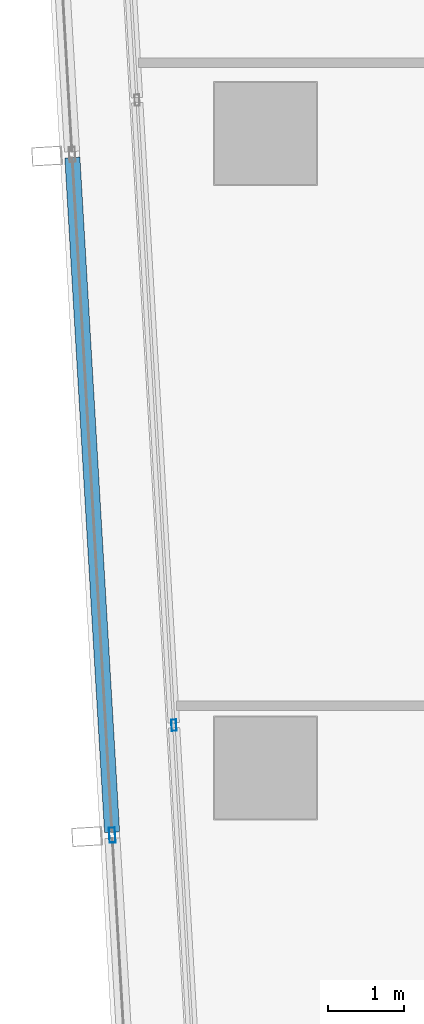
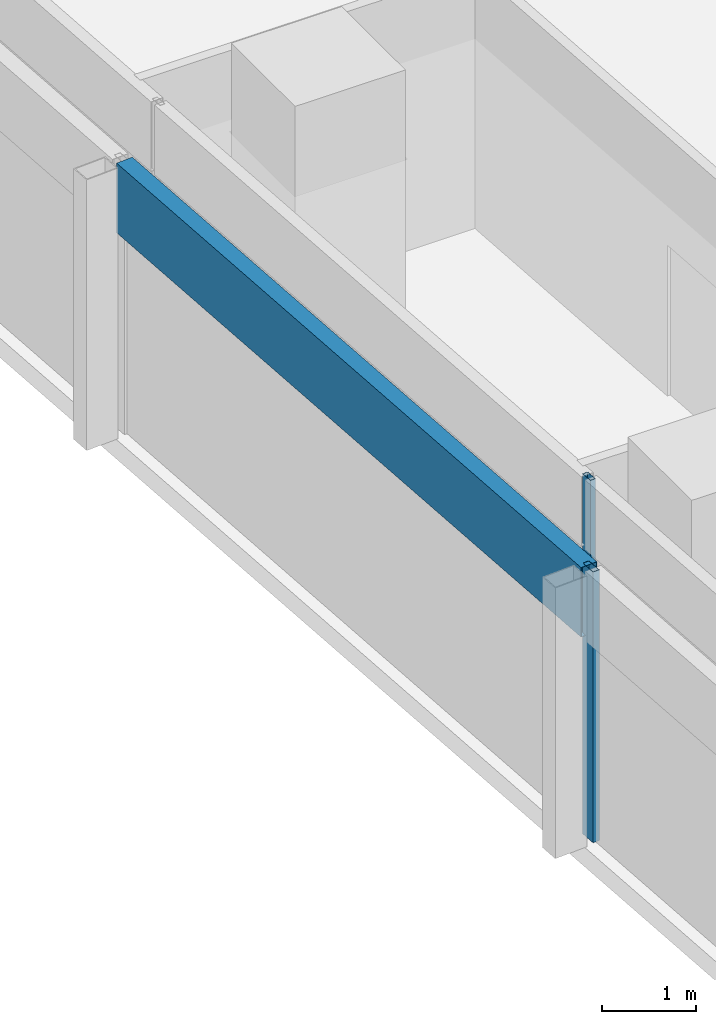
# One storey, part 5 of 38: 3 members, 2 elements without a shape of their own.
"""IFC4 building model written with IfcOpenShell, lengths in metres."""

from ifc_helpers import new_model, si_unit, direction, frame, origin, origin_2d, place, context, subcontext, project, spatial, hollow_rectangle, extrude, material, material_profile, profile_set, type_object, element, aggregate, save


model = new_model("IFC4")

# Units and contexts
model_context = context("Model", 3, precision=1e-05, world=origin(), true_north=direction((0.0, 1.0)))
body_context = subcontext(model_context, "Body", "Model", "MODEL_VIEW")
ifc_project = project(units=[si_unit("LENGTHUNIT", "METRE"), si_unit("AREAUNIT", "SQUARE_METRE"), si_unit("VOLUMEUNIT", "CUBIC_METRE"), si_unit("PLANEANGLEUNIT", "RADIAN"), si_unit("MASSUNIT", "GRAM", prefix="KILO")], contexts=[model_context])

# Site, building, storey
site_placement = place(None, origin())
site = spatial("IfcSite", under=ifc_project, at=site_placement, CompositionType="ELEMENT")
building_placement = place(site_placement, origin())
building = spatial("IfcBuilding", under=site, at=building_placement, Name="Rekha Terrace Tower", CompositionType="ELEMENT")
storey_placement = place(building_placement, frame((0.0, 0.0, 198.949951171875)))
storey = spatial("IfcBuildingStorey", under=building, at=storey_placement, Name="L50", CompositionType="ELEMENT", Elevation=198.949951171875)

# Curtain wall, member
ifc_material_1 = material(Name="Aluminium framing", Category="aluminium")
curtain_wall_type_1 = type_object("IfcCurtainWallType", Name="CW1 double skin inner glazing", PredefinedType="USERDEFINED", material=ifc_material_1)
curtain_wall_1_placement = place(storey_placement, origin())
curtain_wall_1 = element("IfcCurtainWall", 1, at=curtain_wall_1_placement, inside=storey, type_object=curtain_wall_type_1, Name="CW1 double skin inner glazing", ObjectType="DOUBLE SKIN INNER GLAZING", PredefinedType="USERDEFINED")
ifc_material_2 = material(Name="Aluminium mullion section", Category="aluminium")
ifc_material_profile_1 = material_profile(ifc_material_2, hollow_rectangle(XDim=0.06494140625, YDim=0.14990234375, WallThickness=0.00390625, at=origin_2d()), Name="AL RHS 65x150")
ifc_profile_set_1 = profile_set([ifc_material_profile_1], Name="Aluminium mullion section")
member_type_1 = type_object("IfcMemberType", Name="CW1 mullion RHS 65 x 150", PredefinedType="MULLION", material=ifc_profile_set_1)
member_1_placement = place(storey_placement, frame((7.18701171875, 25.76611328125, 0.0), z_axis=(0.0, 0.0, 1.0), x_axis=(0.998271839269, 0.058765082516, 0.0)))
member_1 = element("IfcMember", 2, at=member_1_placement, type_object=member_type_1, Name="CW1 mullion 3", PredefinedType="MULLION", context=body_context, shape_type="SweptSolid", body=[
    extrude(hollow_rectangle(XDim=0.06494140625, YDim=0.14990234375, WallThickness=0.00390625, at=origin_2d()), origin(), (0.0, 0.0, 1.0), 3.5),
])
aggregate(curtain_wall_1, [member_1])

# Curtain wall, members
curtain_wall_type_2 = type_object("IfcCurtainWallType", Name="CW2 double skin outer glazing", PredefinedType="USERDEFINED", material=ifc_material_1)
curtain_wall_2_placement = place(storey_placement, origin())
curtain_wall_2 = element("IfcCurtainWall", 3, at=curtain_wall_2_placement, inside=storey, type_object=curtain_wall_type_2, Name="CW2 double skin outer glazing", ObjectType="DOUBLE SKIN OUTER GLAZING", PredefinedType="USERDEFINED")
ifc_material_profile_2 = material_profile(ifc_material_2, hollow_rectangle(XDim=0.080078125, YDim=0.199951171875, WallThickness=0.00390625, at=origin_2d()), Name="AL RHS 80x200")
ifc_profile_set_2 = profile_set([ifc_material_profile_2], Name="Aluminium mullion section")
member_type_2 = type_object("IfcMemberType", Name="CW2 mullion RHS 80 x 200", PredefinedType="MULLION", material=ifc_profile_set_2)
member_2_placement = place(storey_placement, frame((6.370849609375, 24.31201171875, 0.0), z_axis=(0.0, 0.0, 1.0), x_axis=(0.99827183927, 0.058765082499, 0.0)))
member_2 = element("IfcMember", 4, at=member_2_placement, type_object=member_type_2, Name="CW2 mullion 3", PredefinedType="MULLION", context=body_context, shape_type="SweptSolid", body=[
    extrude(hollow_rectangle(XDim=0.080078125, YDim=0.199951171875, WallThickness=0.00390625, at=origin_2d()), origin(), (0.0, 0.0, 1.0), 3.5),
])
ifc_material_3 = material(Name="Insulated aluminium spandrel box", Category="aluminium")
ifc_material_profile_3 = material_profile(ifc_material_3, hollow_rectangle(XDim=0.199951171875, YDim=0.89990234375, WallThickness=0.0029296875, at=origin_2d()), Name="AL SPANDREL BOX 200x900")
ifc_profile_set_3 = profile_set([ifc_material_profile_3], Name="Insulated aluminium spandrel box")
member_type_3 = type_object("IfcMemberType", Name="CW2 spandrel transom 200 x 900", PredefinedType="USERDEFINED", material=ifc_profile_set_3)
member_3_placement = place(storey_placement, frame((5.843017578125, 33.27978515625, 3.050048828125), z_axis=(0.058773229711, -0.998271359636, 0.0), x_axis=(0.998271359636, 0.058773229711, 0.0)))
member_3 = element("IfcMember", 5, at=member_3_placement, type_object=member_type_3, Name="CW2 spandrel transom 2", ObjectType="TRANSOM", PredefinedType="USERDEFINED", context=body_context, shape_type="SweptSolid", body=[
    extrude(hollow_rectangle(XDim=0.199951171875, YDim=0.89990234375, WallThickness=0.0029296875, at=origin_2d()), origin(), (0.0, 0.0, 1.0), 8.943359375),
])
aggregate(curtain_wall_2, [member_2, member_3])

save(model, "model.ifc")
